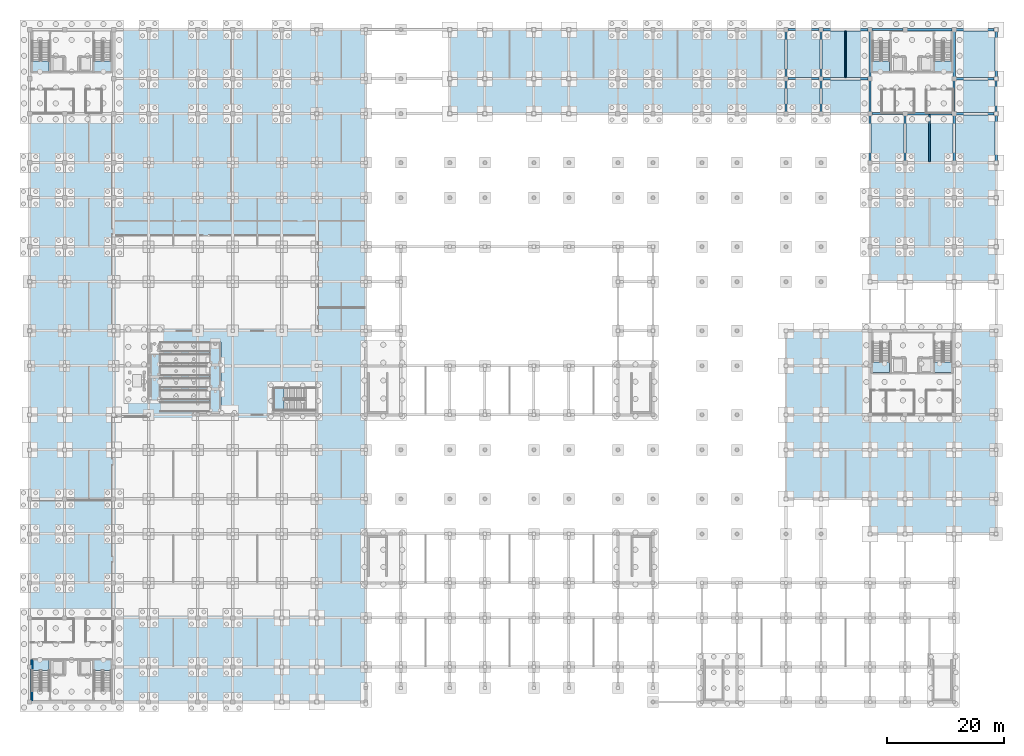
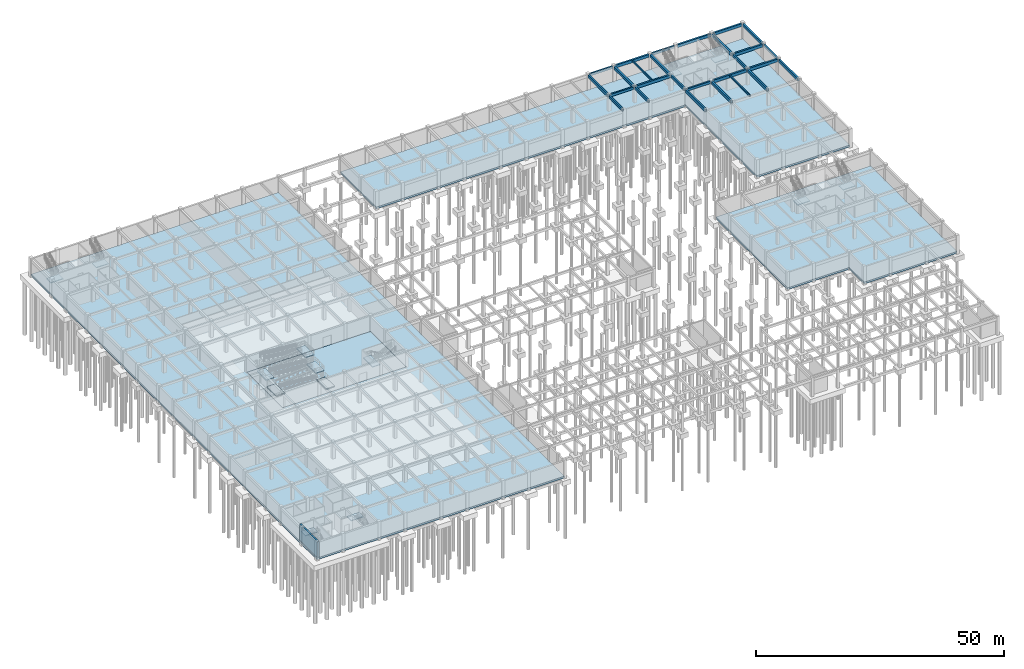
# One storey, part 23 of 40: 27 beams, 18 slabs, 1 wall, 10 elements without a shape of their own.
"""IFC4 building model written with IfcOpenShell, lengths in metres."""

from ifc_helpers import new_model, si_unit, direction, frame, frame_2d, origin, origin_2d, place, context, subcontext, project, spatial, polyline, rectangle, outline, extrude, material, layer, layer_set, material_profile, profile_set, type_object, element, aggregate, save


model = new_model("IFC4")

# Units and contexts
model_context = context("Model", 3, precision=1e-05, world=origin(), true_north=direction((0.0, 1.0)))
body_context = subcontext(model_context, "Body", "Model", "MODEL_VIEW")
ifc_project = project(units=[si_unit("LENGTHUNIT", "METRE"), si_unit("AREAUNIT", "SQUARE_METRE"), si_unit("VOLUMEUNIT", "CUBIC_METRE"), si_unit("PLANEANGLEUNIT", "RADIAN"), si_unit("MASSUNIT", "GRAM", prefix="KILO"), si_unit("THERMODYNAMICTEMPERATUREUNIT", "KELVIN")], contexts=[model_context])

# Site, building, storey
site_placement = place(None, origin())
site = spatial("IfcSite", under=ifc_project, at=site_placement, CompositionType="ELEMENT")
building_placement = place(site_placement, origin())
building = spatial("IfcBuilding", under=site, at=building_placement, Name="Thalorik Housing Commons", CompositionType="ELEMENT")
storey_placement = place(building_placement, frame((0.0, 0.0, -4.199951171875)))
storey = spatial("IfcBuildingStorey", under=building, at=storey_placement, Name="B1", CompositionType="ELEMENT", Elevation=-4.199951171875)

# Beams
ifc_material_1 = material(Name="Precast concrete C40/50", Category="concrete")
ifc_material_profile_1 = material_profile(ifc_material_1, rectangle(XDim=0.35009765625, YDim=0.60009765625, at=origin_2d()), Name="PC 350x600", Category="concrete")
ifc_profile_set_1 = profile_set([ifc_material_profile_1], Name="Precast concrete C40/50")
beam_type_1 = type_object("IfcBeamType", Name="STR-BM-PC350x600", PredefinedType="BEAM", material=ifc_profile_set_1)
beam_1_placement = place(storey_placement, frame((152.72509765625, 109.199951171875, 3.599853515625), z_axis=(1.0, 0.0, 0.0), x_axis=(0.0, 1.0, 0.0)))
element("IfcBeam", 1, at=beam_1_placement, inside=storey, type_object=beam_type_1, Name="B1 Beam B-600", PredefinedType="BEAM", context=body_context, shape_type="SweptSolid", body=[
    extrude(rectangle(XDim=0.35009765625, YDim=0.60009765625, at=origin_2d()), origin(), (0.0, 0.0, 1.0), 5.349853515625),
])
for number, where, z_axis, x_axis, name in (
    (2, (138.324951171875, 115.199951171875, 3.599853515625), (1.0, 0.0, 0.0), (0.0, 1.0, 0.0), "B1 Beam B-600"),
    (3, (138.324951171875, 123.60009765625, 3.599853515625), (1.0, 0.0, 0.0), (0.0, 1.0, 0.0), "B1 Beam B-600"),
):
    element("IfcBeam", number, at=place(storey_placement, frame(where, z_axis=z_axis, x_axis=x_axis)), inside=storey, type_object=beam_type_1, Name=name, PredefinedType="BEAM", context=body_context, shape_type="SweptSolid", body=[
        extrude(rectangle(XDim=0.35009765625, YDim=0.60009765625, at=origin_2d()), origin(), (0.0, 0.0, 1.0), 5.35009765625),
    ])
beam_2_placement = place(storey_placement, frame((152.72509765625, 123.60009765625, 3.599853515625), z_axis=(1.0, 0.0, 0.0), x_axis=(0.0, 1.0, 0.0)))
element("IfcBeam", 4, at=beam_2_placement, inside=storey, type_object=beam_type_1, Name="B1 Beam B-600", PredefinedType="BEAM", context=body_context, shape_type="SweptSolid", body=[
    extrude(rectangle(XDim=0.35009765625, YDim=0.60009765625, at=origin_2d()), origin(), (0.0, 0.0, 1.0), 5.349853515625),
])
for number, where, z_axis, x_axis, name in (
    (5, (138.0, 109.52490234375, 3.599853515625), (0.0, 1.0, 0.0), (-1.0, 0.0, 0.0), "B1 Beam B-600"),
    (6, (144.0, 109.52490234375, 3.599853515625), (0.0, 1.0, 0.0), (-1.0, 0.0, 0.0), "B1 Beam B-600"),
    (7, (152.39990234375, 109.52490234375, 3.599853515625), (0.0, 1.0, 0.0), (-1.0, 0.0, 0.0), "B1 Beam B-600"),
    (8, (166.800048828125, 109.52490234375, 3.599853515625), (0.0, 1.0, 0.0), (-1.0, 0.0, 0.0), "B1 Beam B-600"),
    (9, (174.0, 109.52490234375, 3.599853515625), (0.0, 1.0, 0.0), (-1.0, 0.0, 0.0), "B1 Beam B-600"),
):
    element("IfcBeam", number, at=place(storey_placement, frame(where, z_axis=z_axis, x_axis=x_axis)), inside=storey, type_object=beam_type_1, Name=name, PredefinedType="BEAM", context=body_context, shape_type="SweptSolid", body=[
        extrude(rectangle(XDim=0.35009765625, YDim=0.60009765625, at=origin_2d()), origin(), (0.0, 0.0, 1.0), 5.35009765625),
    ])
ifc_material_profile_2 = material_profile(ifc_material_1, rectangle(XDim=0.39990234375, YDim=0.699951171875, at=origin_2d()), Name="PC 400x700", Category="concrete")
ifc_profile_set_2 = profile_set([ifc_material_profile_2], Name="Precast concrete C40/50")
beam_type_2 = type_object("IfcBeamType", Name="STR-BM-PC400x700", PredefinedType="BEAM", material=ifc_profile_set_2)
beam_3_placement = place(storey_placement, frame((158.72509765625, 109.199951171875, 3.550048828125), z_axis=(1.0, 0.0, 0.0), x_axis=(0.0, 1.0, 0.0)))
element("IfcBeam", 10, at=beam_3_placement, inside=storey, type_object=beam_type_2, Name="B1 Beam B-700", PredefinedType="BEAM", context=body_context, shape_type="SweptSolid", body=[
    extrude(rectangle(XDim=0.39990234375, YDim=0.699951171875, at=origin_2d()), origin(), (0.0, 0.0, 1.0), 7.75),
])
beam_4_placement = place(storey_placement, frame((167.125, 109.199951171875, 3.550048828125), z_axis=(1.0, 0.0, 0.0), x_axis=(0.0, 1.0, 0.0)))
element("IfcBeam", 11, at=beam_4_placement, inside=storey, type_object=beam_type_2, Name="B1 Beam B-700", PredefinedType="BEAM", context=body_context, shape_type="SweptSolid", body=[
    extrude(rectangle(XDim=0.39990234375, YDim=0.699951171875, at=origin_2d()), origin(), (0.0, 0.0, 1.0), 6.550048828125),
])
beam_5_placement = place(storey_placement, frame((144.324951171875, 115.199951171875, 3.550048828125), z_axis=(1.0, 0.0, 0.0), x_axis=(0.0, 1.0, 0.0)))
element("IfcBeam", 12, at=beam_5_placement, inside=storey, type_object=beam_type_2, Name="B1 Beam B-700", PredefinedType="BEAM", context=body_context, shape_type="SweptSolid", body=[
    extrude(rectangle(XDim=0.39990234375, YDim=0.699951171875, at=origin_2d()), origin(), (0.0, 0.0, 1.0), 7.75),
])
beam_6_placement = place(storey_placement, frame((167.125, 115.199951171875, 3.550048828125), z_axis=(1.0, 0.0, 0.0), x_axis=(0.0, 1.0, 0.0)))
element("IfcBeam", 13, at=beam_6_placement, inside=storey, type_object=beam_type_2, Name="B1 Beam B-700", PredefinedType="BEAM", context=body_context, shape_type="SweptSolid", body=[
    extrude(rectangle(XDim=0.39990234375, YDim=0.699951171875, at=origin_2d()), origin(), (0.0, 0.0, 1.0), 6.550048828125),
])
for number, where, z_axis, x_axis, name in (
    (14, (144.324951171875, 123.60009765625, 3.550048828125), (1.0, 0.0, 0.0), (0.0, 1.0, 0.0), "B1 Beam B-700"),
    (15, (158.72509765625, 123.60009765625, 3.550048828125), (1.0, 0.0, 0.0), (0.0, 1.0, 0.0), "B1 Beam B-700"),
):
    element("IfcBeam", number, at=place(storey_placement, frame(where, z_axis=z_axis, x_axis=x_axis)), inside=storey, type_object=beam_type_2, Name=name, PredefinedType="BEAM", context=body_context, shape_type="SweptSolid", body=[
        extrude(rectangle(XDim=0.39990234375, YDim=0.699951171875, at=origin_2d()), origin(), (0.0, 0.0, 1.0), 7.75),
    ])
beam_7_placement = place(storey_placement, frame((167.125, 123.60009765625, 3.550048828125), z_axis=(1.0, 0.0, 0.0), x_axis=(0.0, 1.0, 0.0)))
element("IfcBeam", 16, at=beam_7_placement, inside=storey, type_object=beam_type_2, Name="B1 Beam B-700", PredefinedType="BEAM", context=body_context, shape_type="SweptSolid", body=[
    extrude(rectangle(XDim=0.39990234375, YDim=0.699951171875, at=origin_2d()), origin(), (0.0, 0.0, 1.0), 6.550048828125),
])
for number, where, z_axis, x_axis, name in (
    (17, (138.0, 115.52490234375, 3.550048828125), (0.0, 1.0, 0.0), (-1.0, 0.0, 0.0), "B1 Beam B-700"),
    (18, (144.0, 115.52490234375, 3.550048828125), (0.0, 1.0, 0.0), (-1.0, 0.0, 0.0), "B1 Beam B-700"),
    (19, (152.39990234375, 101.125, 3.550048828125), (0.0, 1.0, 0.0), (-1.0, 0.0, 0.0), "B1 Beam B-700"),
    (20, (152.39990234375, 115.52490234375, 3.550048828125), (0.0, 1.0, 0.0), (-1.0, 0.0, 0.0), "B1 Beam B-700"),
    (21, (158.39990234375, 101.125, 3.550048828125), (0.0, 1.0, 0.0), (-1.0, 0.0, 0.0), "B1 Beam B-700"),
    (22, (166.800048828125, 101.125, 3.550048828125), (0.0, 1.0, 0.0), (-1.0, 0.0, 0.0), "B1 Beam B-700"),
    (23, (166.800048828125, 115.52490234375, 3.550048828125), (0.0, 1.0, 0.0), (-1.0, 0.0, 0.0), "B1 Beam B-700"),
    (24, (174.0, 101.125, 3.550048828125), (0.0, 1.0, 0.0), (-1.0, 0.0, 0.0), "B1 Beam B-700"),
    (25, (174.0, 115.52490234375, 3.550048828125), (0.0, 1.0, 0.0), (-1.0, 0.0, 0.0), "B1 Beam B-700"),
):
    element("IfcBeam", number, at=place(storey_placement, frame(where, z_axis=z_axis, x_axis=x_axis)), inside=storey, type_object=beam_type_2, Name=name, PredefinedType="BEAM", context=body_context, shape_type="SweptSolid", body=[
        extrude(rectangle(XDim=0.39990234375, YDim=0.699951171875, at=origin_2d()), origin(), (0.0, 0.0, 1.0), 7.75),
    ])
ifc_material_profile_3 = material_profile(ifc_material_1, rectangle(XDim=0.239990234375, YDim=0.43994140625, at=origin_2d()), Name="PC JST 240x440", Category="concrete")
ifc_profile_set_3 = profile_set([ifc_material_profile_3], Name="Precast concrete C40/50")
beam_type_3 = type_object("IfcBeamType", Name="STR-JST-PC240x440", PredefinedType="JOIST", material=ifc_profile_set_3)
beam_8_placement = place(storey_placement, frame((162.60009765625, 100.949951171875, 3.679931640625), z_axis=(0.0, 1.0, 0.0), x_axis=(-1.0, 0.0, 0.0)))
element("IfcBeam", 26, at=beam_8_placement, inside=storey, type_object=beam_type_3, Name="B1 Beam J-440", PredefinedType="JOIST", context=body_context, shape_type="SweptSolid", body=[
    extrude(rectangle(XDim=0.239990234375, YDim=0.43994140625, at=origin_2d()), origin(), (0.0, 0.0, 1.0), 8.10009765625),
])
beam_9_placement = place(storey_placement, frame((148.199951171875, 115.35009765625, 3.679931640625), z_axis=(0.0, 1.0, 0.0), x_axis=(-1.0, 0.0, 0.0)))
element("IfcBeam", 27, at=beam_9_placement, inside=storey, type_object=beam_type_3, Name="B1 Beam J-440", PredefinedType="JOIST", context=body_context, shape_type="SweptSolid", body=[
    extrude(rectangle(XDim=0.239990234375, YDim=0.43994140625, at=origin_2d()), origin(), (0.0, 0.0, 1.0), 8.099853515625),
])

# Ramp, slabs
ifc_material_2 = material(Name="Concrete C40/50", Category="concrete")
ramp_type = type_object("IfcRampType", Name="ARC-RMP-METRO", PredefinedType="HALF_TURN_RAMP", material=ifc_material_2)
ramp_placement = place(storey_placement, origin())
ramp = element("IfcRamp", 28, at=ramp_placement, inside=storey, type_object=ramp_type, Name="B1 to L00 Sunken Metro Forecourt Accessible Ramp", PredefinedType="HALF_TURN_RAMP")
ifc_layer_1 = layer(ifc_material_2, 0.219970703125, Name="Concrete C40/50", Category="concrete")
ifc_layer_set_1 = layer_set([ifc_layer_1], Name="Concrete C40/50")
slab_type_1 = type_object("IfcSlabType", Name="ARC-SLB-RMPLND-220", PredefinedType="LANDING", material=ifc_layer_set_1)
slab_1_placement = place(storey_placement, frame((0.0, 0.0, 0.47998046875)))
slab_1 = element("IfcSlab", 29, at=slab_1_placement, type_object=slab_type_1, Name="Metro Accessible Ramp Landing 1", PredefinedType="LANDING", context=body_context, shape_type="SweptSolid", body=[
    extrude(outline(polyline([(39.199951171875, 58.10009765625), (41.199951171875, 58.10009765625), (41.199951171875, 61.85009765625), (39.199951171875, 61.85009765625), (39.199951171875, 58.10009765625)])), origin(), (0.0, 0.0, 1.0), 0.219970703125),
])
slab_2_placement = place(storey_placement, frame((0.0, 0.0, 1.179931640625)))
slab_2 = element("IfcSlab", 30, at=slab_2_placement, type_object=slab_type_1, Name="Metro Accessible Ramp Landing 2", PredefinedType="LANDING", context=body_context, shape_type="SweptSolid", body=[
    extrude(outline(polyline([(28.800048828125, 60.14990234375), (30.800048828125, 60.14990234375), (30.800048828125, 63.89990234375), (28.800048828125, 63.89990234375), (28.800048828125, 60.14990234375)])), origin(), (0.0, 0.0, 1.0), 0.219970703125),
])
slab_3_placement = place(storey_placement, frame((0.0, 0.0, 1.8798828125)))
slab_3 = element("IfcSlab", 31, at=slab_3_placement, type_object=slab_type_1, Name="Metro Accessible Ramp Landing 3", PredefinedType="LANDING", context=body_context, shape_type="SweptSolid", body=[
    extrude(outline(polyline([(39.199951171875, 62.199951171875), (41.199951171875, 62.199951171875), (41.199951171875, 65.949951171875), (39.199951171875, 65.949951171875), (39.199951171875, 62.199951171875)])), origin(), (0.0, 0.0, 1.0), 0.219970703125),
])
slab_4_placement = place(storey_placement, frame((0.0, 0.0, 2.579833984375)))
slab_4 = element("IfcSlab", 32, at=slab_4_placement, type_object=slab_type_1, Name="Metro Accessible Ramp Landing 4", PredefinedType="LANDING", context=body_context, shape_type="SweptSolid", body=[
    extrude(outline(polyline([(28.800048828125, 64.25), (30.800048828125, 64.25), (30.800048828125, 68.0), (28.800048828125, 68.0), (28.800048828125, 64.25)])), origin(), (0.0, 0.0, 1.0), 0.22021484375),
])
slab_5_placement = place(storey_placement, frame((0.0, 0.0, 3.280029296875)))
slab_5 = element("IfcSlab", 33, at=slab_5_placement, type_object=slab_type_1, Name="Metro Accessible Ramp Landing 5", PredefinedType="LANDING", context=body_context, shape_type="SweptSolid", body=[
    extrude(outline(polyline([(39.199951171875, 66.300048828125), (41.199951171875, 66.300048828125), (41.199951171875, 70.050048828125), (39.199951171875, 70.050048828125), (39.199951171875, 66.300048828125)])), origin(), (0.0, 0.0, 1.0), 0.219970703125),
])
aggregate(ramp, [slab_1, slab_2, slab_3, slab_4, slab_5])

# Stair, slab
stair_type_1 = type_object("IfcStairType", Name="ARC-STR-1350-R26", PredefinedType="HALF_TURN_STAIR", material=ifc_material_1)
stair_1_placement = place(storey_placement, origin())
stair_1 = element("IfcStair", 34, at=stair_1_placement, inside=storey, type_object=stair_type_1, Name="B1 Block A Smoke-Proof Stair 1", PredefinedType="HALF_TURN_STAIR")
ifc_layer_2 = layer(ifc_material_1, 0.199951171875, Name="Precast concrete C40/50", Category="concrete")
ifc_layer_set_2 = layer_set([ifc_layer_2], Name="Precast concrete C40/50")
slab_type_2 = type_object("IfcSlabType", Name="ARC-SLB-STLND-200", PredefinedType="LANDING", material=ifc_layer_set_2)
slab_6_placement = place(storey_placement, frame((0.0, 0.0, 1.89990234375)))
slab_6 = element("IfcSlab", 35, at=slab_6_placement, type_object=slab_type_2, Name="ST-A1 landing 1", PredefinedType="LANDING", context=body_context, shape_type="SweptSolid", body=[
    extrude(outline(polyline([(8.85009765625, 118.219970703125), (8.85009765625, 116.449951171875), (11.75, 116.449951171875), (11.75, 118.219970703125), (8.85009765625, 118.219970703125)])), origin(), (0.0, 0.0, 1.0), 0.199951171875),
])
aggregate(stair_1, [slab_6])

stair_2_placement = place(storey_placement, origin())
stair_2 = element("IfcStair", 36, at=stair_2_placement, inside=storey, type_object=stair_type_1, Name="B1 Block A Smoke-Proof Stair 2", PredefinedType="HALF_TURN_STAIR")
slab_7_placement = place(storey_placement, frame((0.0, 0.0, 1.89990234375)))
slab_7 = element("IfcSlab", 37, at=slab_7_placement, type_object=slab_type_2, Name="ST-A2 landing 1", PredefinedType="LANDING", context=body_context, shape_type="SweptSolid", body=[
    extrude(outline(polyline([(19.449951171875, 118.219970703125), (19.449951171875, 116.449951171875), (22.35009765625, 116.449951171875), (22.35009765625, 118.219970703125), (19.449951171875, 118.219970703125)])), origin(), (0.0, 0.0, 1.0), 0.199951171875),
])
aggregate(stair_2, [slab_7])

stair_3_placement = place(storey_placement, origin())
stair_3 = element("IfcStair", 38, at=stair_3_placement, inside=storey, type_object=stair_type_1, Name="B1 Block B Smoke-Proof Stair 1", PredefinedType="HALF_TURN_STAIR")
slab_8_placement = place(storey_placement, frame((0.0, 0.0, 1.89990234375)))
slab_8 = element("IfcSlab", 39, at=slab_8_placement, type_object=slab_type_2, Name="ST-B1 landing 1", PredefinedType="LANDING", context=body_context, shape_type="SweptSolid", body=[
    extrude(outline(polyline([(152.85009765625, 118.219970703125), (152.85009765625, 116.449951171875), (155.75, 116.449951171875), (155.75, 118.219970703125), (152.85009765625, 118.219970703125)])), origin(), (0.0, 0.0, 1.0), 0.199951171875),
])
aggregate(stair_3, [slab_8])

stair_4_placement = place(storey_placement, origin())
stair_4 = element("IfcStair", 40, at=stair_4_placement, inside=storey, type_object=stair_type_1, Name="B1 Block B Smoke-Proof Stair 2", PredefinedType="HALF_TURN_STAIR")
slab_9_placement = place(storey_placement, frame((0.0, 0.0, 1.89990234375)))
slab_9 = element("IfcSlab", 41, at=slab_9_placement, type_object=slab_type_2, Name="ST-B2 landing 1", PredefinedType="LANDING", context=body_context, shape_type="SweptSolid", body=[
    extrude(outline(polyline([(163.449951171875, 118.219970703125), (163.449951171875, 116.449951171875), (166.35009765625, 116.449951171875), (166.35009765625, 118.219970703125), (163.449951171875, 118.219970703125)])), origin(), (0.0, 0.0, 1.0), 0.199951171875),
])
aggregate(stair_4, [slab_9])

stair_5_placement = place(storey_placement, origin())
stair_5 = element("IfcStair", 42, at=stair_5_placement, inside=storey, type_object=stair_type_1, Name="B1 Block C Smoke-Proof Stair 1", PredefinedType="HALF_TURN_STAIR")
slab_10_placement = place(storey_placement, frame((0.0, 0.0, 1.89990234375)))
slab_10 = element("IfcSlab", 43, at=slab_10_placement, type_object=slab_type_2, Name="ST-C1 landing 1", PredefinedType="LANDING", context=body_context, shape_type="SweptSolid", body=[
    extrude(outline(polyline([(11.75, 13.780029296875), (11.75, 15.550048828125), (8.85009765625, 15.550048828125), (8.85009765625, 13.780029296875), (11.75, 13.780029296875)])), origin(), (0.0, 0.0, 1.0), 0.199951171875),
])
aggregate(stair_5, [slab_10])

stair_6_placement = place(storey_placement, origin())
stair_6 = element("IfcStair", 44, at=stair_6_placement, inside=storey, type_object=stair_type_1, Name="B1 Block C Smoke-Proof Stair 2", PredefinedType="HALF_TURN_STAIR")
slab_11_placement = place(storey_placement, frame((0.0, 0.0, 1.89990234375)))
slab_11 = element("IfcSlab", 45, at=slab_11_placement, type_object=slab_type_2, Name="ST-C2 landing 1", PredefinedType="LANDING", context=body_context, shape_type="SweptSolid", body=[
    extrude(outline(polyline([(22.35009765625, 13.780029296875), (22.35009765625, 15.550048828125), (19.449951171875, 15.550048828125), (19.449951171875, 13.780029296875), (22.35009765625, 13.780029296875)])), origin(), (0.0, 0.0, 1.0), 0.199951171875),
])
aggregate(stair_6, [slab_11])

stair_7_placement = place(storey_placement, origin())
stair_7 = element("IfcStair", 46, at=stair_7_placement, inside=storey, type_object=stair_type_1, Name="B1 Block D Smoke-Proof Stair 1", PredefinedType="HALF_TURN_STAIR")
slab_12_placement = place(storey_placement, frame((0.0, 0.0, 1.89990234375)))
slab_12 = element("IfcSlab", 47, at=slab_12_placement, type_object=slab_type_2, Name="ST-D1 landing 1", PredefinedType="LANDING", context=body_context, shape_type="SweptSolid", body=[
    extrude(outline(polyline([(152.85009765625, 66.6201171875), (152.85009765625, 64.85009765625), (155.75, 64.85009765625), (155.75, 66.6201171875), (152.85009765625, 66.6201171875)])), origin(), (0.0, 0.0, 1.0), 0.199951171875),
])
aggregate(stair_7, [slab_12])

stair_8_placement = place(storey_placement, origin())
stair_8 = element("IfcStair", 48, at=stair_8_placement, inside=storey, type_object=stair_type_1, Name="B1 Block D Smoke-Proof Stair 2", PredefinedType="HALF_TURN_STAIR")
slab_13_placement = place(storey_placement, frame((0.0, 0.0, 1.89990234375)))
slab_13 = element("IfcSlab", 49, at=slab_13_placement, type_object=slab_type_2, Name="ST-D2 landing 1", PredefinedType="LANDING", context=body_context, shape_type="SweptSolid", body=[
    extrude(outline(polyline([(163.449951171875, 66.6201171875), (163.449951171875, 64.85009765625), (166.35009765625, 64.85009765625), (166.35009765625, 66.6201171875), (163.449951171875, 66.6201171875)])), origin(), (0.0, 0.0, 1.0), 0.199951171875),
])
aggregate(stair_8, [slab_13])

stair_type_2 = type_object("IfcStairType", Name="ARC-STR-1800-R26", PredefinedType="HALF_TURN_STAIR", material=ifc_material_1)
stair_9_placement = place(storey_placement, origin())
stair_9 = element("IfcStair", 50, at=stair_9_placement, inside=storey, type_object=stair_type_2, Name="B1 Metro Forecourt Feature Stair", PredefinedType="STRAIGHT_RUN_STAIR")
slab_14_placement = place(storey_placement, frame((0.0, 0.0, 1.89990234375)))
slab_14 = element("IfcSlab", 51, at=slab_14_placement, type_object=slab_type_2, Name="ST-M1 landing 1", PredefinedType="LANDING", context=body_context, shape_type="SweptSolid", body=[
    extrude(outline(polyline([(52.0, 62.199951171875), (50.199951171875, 62.199951171875), (50.199951171875, 58.39990234375), (52.0, 58.39990234375), (52.0, 62.199951171875)])), origin(), (0.0, 0.0, 1.0), 0.199951171875),
])
aggregate(stair_9, [slab_14])

# Slabs
ifc_layer_3 = layer(ifc_material_2, 0.449951171875, Name="Concrete C40/50", Category="concrete")
ifc_layer_set_3 = layer_set([ifc_layer_3], Name="Concrete C40/50")
slab_type_3 = type_object("IfcSlabType", Name="STR-SLB-BASE-450", PredefinedType="BASESLAB", material=ifc_layer_set_3)
slab_15_placement = place(storey_placement, frame((0.0, 0.0, -0.449951171875)))
element("IfcSlab", 52, at=slab_15_placement, inside=storey, type_object=slab_type_3, Name="B1 Metro Concourse and Substructure Base Slab", PredefinedType="BASESLAB", context=body_context, shape_type="SweptSolid", body=[
    extrude(outline(polyline([(66.0, 8.39990234375), (66.0, 123.60009765625), (8.39990234375, 123.60009765625), (8.39990234375, 8.39990234375), (66.0, 8.39990234375)]), holes=[polyline([(57.60009765625, 57.60009765625), (28.800048828125, 57.60009765625), (28.800048828125, 72.0), (57.60009765625, 72.0), (57.60009765625, 57.60009765625)])]), origin(), (0.0, 0.0, 1.0), 0.449951171875),
])
slab_16_placement = place(storey_placement, frame((0.0, 0.0, -0.449951171875)))
element("IfcSlab", 53, at=slab_16_placement, inside=storey, type_object=slab_type_3, Name="B1 Block B Foundation Base Slab", PredefinedType="BASESLAB", context=body_context, shape_type="SweptSolid", body=[
    extrude(outline(polyline([(174.0, 109.199951171875), (174.0, 123.60009765625), (80.39990234375, 123.60009765625), (80.39990234375, 109.199951171875), (152.39990234375, 109.199951171875), (152.39990234375, 80.39990234375), (174.0, 80.39990234375), (174.0, 109.199951171875)])), origin(), (0.0, 0.0, 1.0), 0.449951171875),
])
slab_17_placement = place(storey_placement, frame((0.0, 0.0, -0.449951171875)))
element("IfcSlab", 54, at=slab_17_placement, inside=storey, type_object=slab_type_3, Name="B1 Block D Foundation Base Slab", PredefinedType="BASESLAB", context=body_context, shape_type="SweptSolid", body=[
    extrude(outline(polyline([(152.39990234375, 72.0), (138.0, 72.0), (138.0, 43.199951171875), (152.39990234375, 43.199951171875), (152.39990234375, 37.199951171875), (174.0, 37.199951171875), (174.0, 72.0), (152.39990234375, 72.0)])), origin(), (0.0, 0.0, 1.0), 0.449951171875),
])
ifc_layer_4 = layer(ifc_material_2, 0.449951171875, Name="Concrete C40/50", Category="concrete")
ifc_layer_set_4 = layer_set([ifc_layer_4], Name="Concrete C40/50")
slab_type_4 = type_object("IfcSlabType", Name="STR-SLB-PLAZA-450", PredefinedType="FLOOR", material=ifc_layer_set_4)
slab_18_placement = place(storey_placement, frame((0.0, 0.0, -0.449951171875)))
element("IfcSlab", 55, at=slab_18_placement, inside=storey, type_object=slab_type_4, Name="B1 Sunken Metro Forecourt Plaza Slab", PredefinedType="FLOOR", context=body_context, shape_type="SweptSolid", body=[
    extrude(outline(polyline([(28.800048828125, 57.60009765625), (57.60009765625, 57.60009765625), (57.60009765625, 72.0), (28.800048828125, 72.0), (28.800048828125, 57.60009765625)])), origin(), (0.0, 0.0, 1.0), 0.449951171875),
])

# Wall
ifc_layer_5 = layer(ifc_material_2, 0.340087890625, Name="Concrete C40/50", Category="concrete")
ifc_layer_set_5 = layer_set([ifc_layer_5], Name="Concrete C40/50")
wall_type = type_object("IfcWallType", Name="ARC-WAL-CORE-340", PredefinedType="SHEAR", material=ifc_layer_set_5)
wall_placement = place(storey_placement, frame((8.764892578125, 8.60009765625, 0.0), z_axis=(0.0, 0.0, 1.0), x_axis=(0.0, 1.0, 0.0)))
element("IfcWall", 56, at=wall_placement, inside=storey, type_object=wall_type, Name="B1 Core C Stair 1 Outer Shear Wall", PredefinedType="SHEAR", context=body_context, shape_type="SweptSolid", body=[
    extrude(rectangle(XDim=7.074951171875, YDim=0.340087890625, at=frame_2d((3.53759765625, 0.0))), origin(), (0.0, 0.0, 1.0), 3.89990234375),
])

save(model, "model.ifc")
